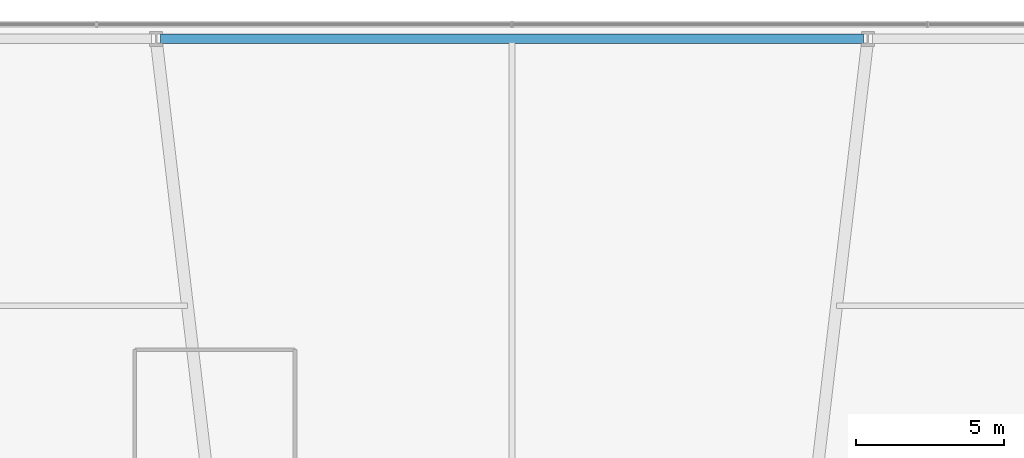
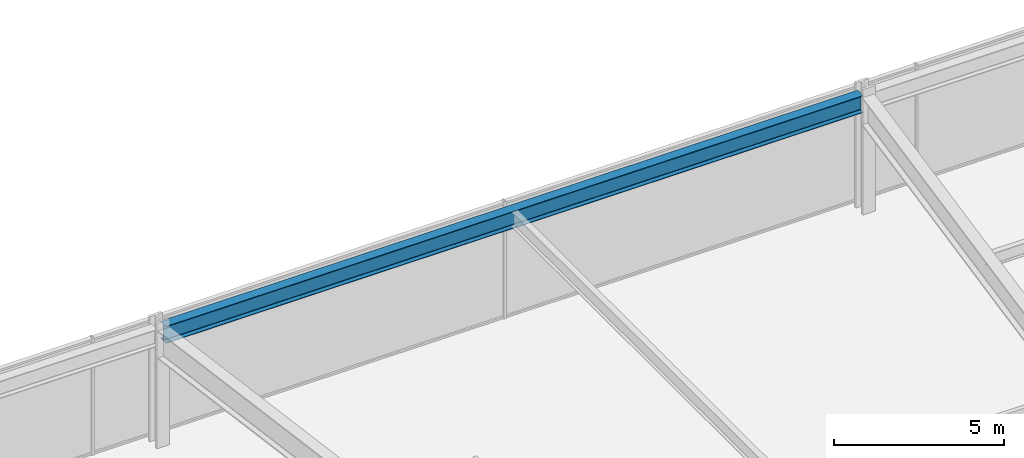
# One storey, part 30 of 47: 1 beam.
"""IFC4 building model written with IfcOpenShell, lengths in metres."""

from ifc_helpers import new_model, si_unit, direction, frame, origin, origin_2d, place, context, subcontext, project, spatial, i_section, extrude, material, material_profile, profile_set, type_object, element, save


model = new_model("IFC4")

# Units and contexts
model_context = context("Model", 3, precision=1e-05, world=origin(), true_north=direction((0.0, 1.0)))
body_context = subcontext(model_context, "Body", "Model", "MODEL_VIEW")
ifc_project = project(units=[si_unit("LENGTHUNIT", "METRE"), si_unit("AREAUNIT", "SQUARE_METRE"), si_unit("VOLUMEUNIT", "CUBIC_METRE"), si_unit("PLANEANGLEUNIT", "RADIAN"), si_unit("MASSUNIT", "GRAM", prefix="KILO")], contexts=[model_context])

# Site, building, storey
site_placement = place(None, origin())
site = spatial("IfcSite", under=ifc_project, at=site_placement, CompositionType="ELEMENT")
building_placement = place(site_placement, origin())
building = spatial("IfcBuilding", under=site, at=building_placement, Name="Kolvaren Belvedere", CompositionType="ELEMENT")
storey_placement = place(building_placement, frame((0.0, 0.0, 5.5)))
storey = spatial("IfcBuildingStorey", under=building, at=storey_placement, Name="L02", CompositionType="ELEMENT", Elevation=5.5)

# Beam
ifc_material = material(Name="Structural steel ASTM A992 Grade 50", Category="steel")
ifc_material_profile = material_profile(ifc_material, i_section(OverallWidth=0.324951171875, OverallDepth=0.615966796875, WebThickness=0.013916015625, FlangeThickness=0.021484375, FilletRadius=0.02001953125, at=origin_2d()), Name="W24X117")
ifc_profile_set = profile_set([ifc_material_profile], Name="Structural steel ASTM A992 Grade 50")
beam_type = type_object("IfcBeamType", Name="BM-SPAN-W24X117", PredefinedType="SPANDREL", material=ifc_profile_set)
beam_placement = place(storey_placement, frame((-11.85009765625, 27.800048828125, 3.912109375), z_axis=(1.0, 0.0, 0.0), x_axis=(0.0, 1.0, 0.0)))
element("IfcBeam", 1, at=beam_placement, inside=storey, type_object=beam_type, Name="L02 North Podium Spandrel 2", PredefinedType="SPANDREL", context=body_context, shape_type="SweptSolid", body=[
    extrude(i_section(OverallWidth=0.324951171875, OverallDepth=0.615966796875, WebThickness=0.013916015625, FlangeThickness=0.021484375, FilletRadius=0.02001953125, at=origin_2d()), origin(), (0.0, 0.0, 1.0), 23.7001953125),
])

save(model, "model.ifc")
